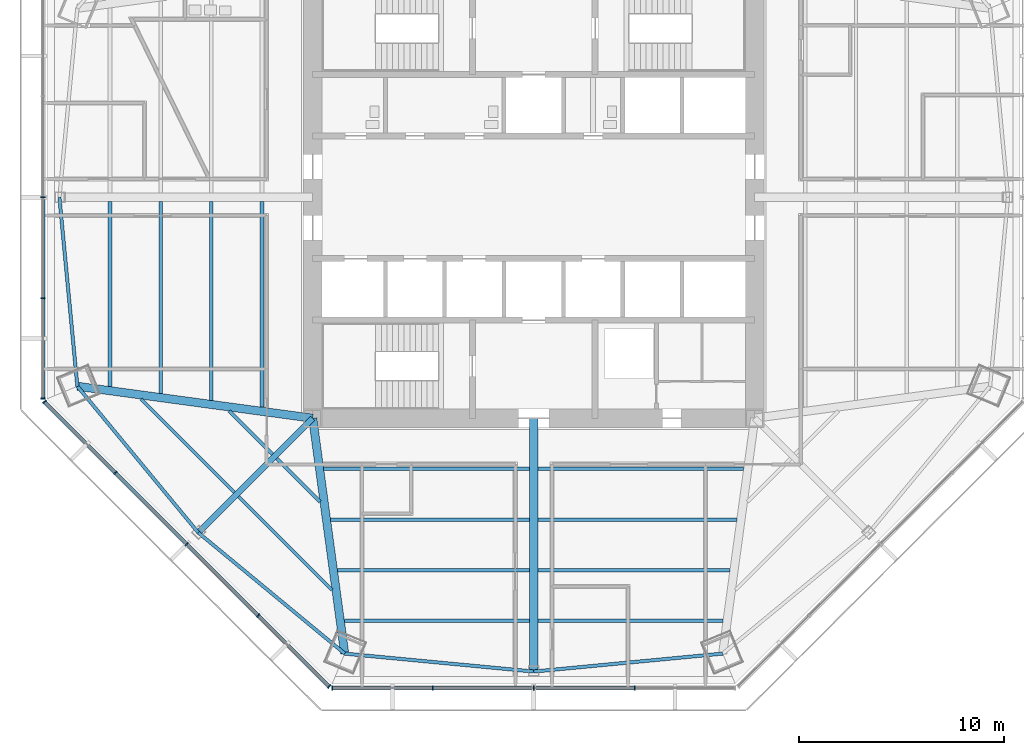
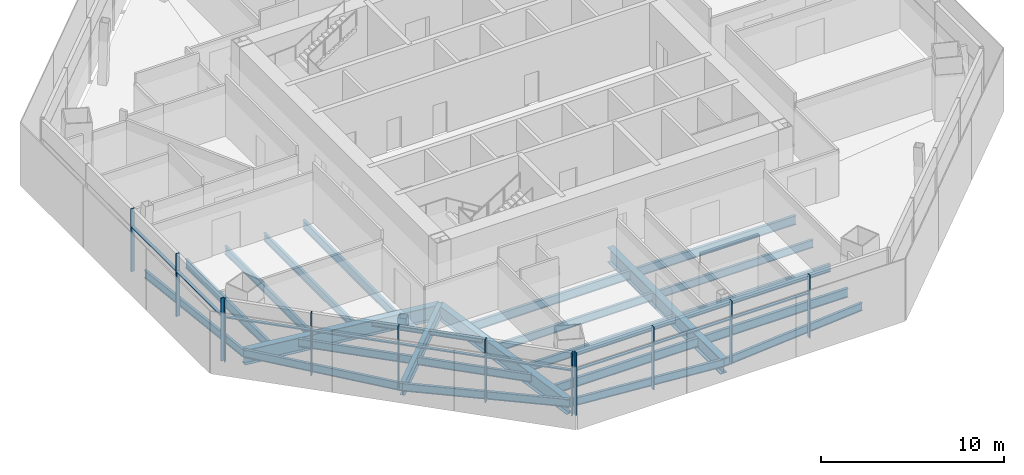
# One storey, part 2 of 14: 25 beams, 21 members, 3 elements without a shape of their own.
"""IFC4 building model written with IfcOpenShell, lengths in metres."""

from ifc_helpers import new_model, si_unit, direction, frame, origin, origin_2d, place, context, subcontext, project, spatial, rectangle, i_section, extrude, source, transform, mapped, material, material_profile, profile_set, type_object, type_shapes, element, aggregate, save


model = new_model("IFC4")

# Units and contexts
model_context = context("Model", 3, precision=1e-05, world=origin(), true_north=direction((0.0, 1.0)))
body_context = subcontext(model_context, "Body", "Model", "MODEL_VIEW")
ifc_project = project(units=[si_unit("LENGTHUNIT", "METRE"), si_unit("AREAUNIT", "SQUARE_METRE"), si_unit("VOLUMEUNIT", "CUBIC_METRE"), si_unit("PLANEANGLEUNIT", "RADIAN"), si_unit("MASSUNIT", "GRAM", prefix="KILO")], contexts=[model_context])

# Site, building, storey
site_placement = place(None, origin())
site = spatial("IfcSite", under=ifc_project, at=site_placement, CompositionType="ELEMENT")
building_placement = place(site_placement, origin())
building = spatial("IfcBuilding", under=site, at=building_placement, Name="Mashrafa Tower", CompositionType="ELEMENT")
storey_placement = place(building_placement, frame((0.0, 0.0, 142.800048828125)))
storey = spatial("IfcBuildingStorey", under=building, at=storey_placement, Name="L32", CompositionType="ELEMENT", Elevation=142.800048828125)

# Beams
ifc_material_1 = material(Name="Steel ASTM A992", Category="steel")
ifc_material_profile_1 = material_profile(ifc_material_1, i_section(OverallWidth=0.164794921875, OverallDepth=0.309814453125, WebThickness=0.005859375, FlangeThickness=0.009765625, FilletRadius=0.007568359375, at=origin_2d()), Name="W12X26")
ifc_profile_set_1 = profile_set([ifc_material_profile_1], Name="Steel ASTM A992")
beam_type_1 = type_object("IfcBeamType", Name="Beam W12X26", PredefinedType="BEAM", material=ifc_profile_set_1)
for number, where, z_axis, x_axis, name in (
    (1, (-12.766845703125, -12.560302734375, -0.320068359375), (-0.707106781187, 0.707106781187, 0.0), (-0.707106781187, -0.707106781187, 0.0), "Floor beam L32 013"),
    (2, (-10.448486328125, -14.878662109375, -0.320068359375), (-0.707106781187, 0.707106781187, 0.0), (-0.707106781187, -0.707106781187, 0.0), "Floor beam L32 016"),
):
    element("IfcBeam", number, at=place(storey_placement, frame(where, z_axis=z_axis, x_axis=x_axis)), inside=storey, type_object=beam_type_1, Name=name, PredefinedType="BEAM", context=body_context, shape_type="SweptSolid", body=[
        extrude(i_section(OverallWidth=0.164794921875, OverallDepth=0.309814453125, WebThickness=0.005859375, FlangeThickness=0.009765625, FilletRadius=0.007568359375, at=origin_2d()), origin(), (0.0, 0.0, 1.0), 2.986572265625),
    ])
ifc_material_2 = material(Name="Steel ASTM A992", Category="steel")
ifc_material_profile_2 = material_profile(ifc_material_2, i_section(OverallWidth=0.1650390625, OverallDepth=0.52587890625, WebThickness=0.0087890625, FlangeThickness=0.011474609375, FilletRadius=0.0126953125, at=origin_2d()), Name="W21X44")
ifc_profile_set_2 = profile_set([ifc_material_profile_2], Name="Steel ASTM A992")
beam_type_2 = type_object("IfcBeamType", Name="Beam W21X44", PredefinedType="BEAM", material=ifc_profile_set_2)
beam_1_placement = place(storey_placement, frame((-18.227783203125, -9.58837890625, -0.427978515625), z_axis=(0.0, 1.0, 0.0), x_axis=(-1.0, 0.0, 0.0)))
element("IfcBeam", 3, at=beam_1_placement, inside=storey, type_object=beam_type_2, Name="Floor beam L32 004", PredefinedType="BEAM", context=body_context, shape_type="SweptSolid", body=[
    extrude(i_section(OverallWidth=0.1650390625, OverallDepth=0.52587890625, WebThickness=0.0087890625, FlangeThickness=0.011474609375, FilletRadius=0.0126953125, at=origin_2d()), origin(), (0.0, 0.0, 1.0), 9.3876953125),
])
beam_2_placement = place(storey_placement, frame((-15.751953125, -9.9248046875, -0.427978515625), z_axis=(0.0, 1.0, 0.0), x_axis=(-1.0, 0.0, 0.0)))
element("IfcBeam", 4, at=beam_2_placement, inside=storey, type_object=beam_type_2, Name="Floor beam L32 006", PredefinedType="BEAM", context=body_context, shape_type="SweptSolid", body=[
    extrude(i_section(OverallWidth=0.1650390625, OverallDepth=0.52587890625, WebThickness=0.0087890625, FlangeThickness=0.011474609375, FilletRadius=0.0126953125, at=origin_2d()), origin(), (0.0, 0.0, 1.0), 9.72412109375),
])
for number, where, z_axis, x_axis, name in (
    (5, (-14.63037109375, -14.423828125, -0.427978515625), (-0.707106781187, 0.707106781187, 0.0), (-0.707106781187, -0.707106781187, 0.0), "Floor beam L32 009"),
    (6, (-9.862548828125, -19.191650390625, -0.427978515625), (-0.707106781187, 0.707106781187, 0.0), (-0.707106781187, -0.707106781187, 0.0), "Floor beam L32 019"),
):
    element("IfcBeam", number, at=place(storey_placement, frame(where, z_axis=z_axis, x_axis=x_axis)), inside=storey, type_object=beam_type_2, Name=name, PredefinedType="BEAM", context=body_context, shape_type="SweptSolid", body=[
        extrude(i_section(OverallWidth=0.1650390625, OverallDepth=0.52587890625, WebThickness=0.0087890625, FlangeThickness=0.011474609375, FilletRadius=0.0126953125, at=origin_2d()), origin(), (0.0, 0.0, 1.0), 6.45068359375),
    ])
beam_3_placement = place(storey_placement, frame((-0.20068359375, -18.227783203125, -0.427978515625), z_axis=(-1.0, 0.0, 0.0), x_axis=(0.0, -1.0, 0.0)))
element("IfcBeam", 7, at=beam_3_placement, inside=storey, type_object=beam_type_2, Name="Floor beam L32 022", PredefinedType="BEAM", context=body_context, shape_type="SweptSolid", body=[
    extrude(i_section(OverallWidth=0.1650390625, OverallDepth=0.52587890625, WebThickness=0.0087890625, FlangeThickness=0.011474609375, FilletRadius=0.0126953125, at=origin_2d()), origin(), (0.0, 0.0, 1.0), 9.3876953125),
])
beam_4_placement = place(storey_placement, frame((-0.20068359375, -15.751953125, -0.427978515625), z_axis=(-1.0, 0.0, 0.0), x_axis=(0.0, -1.0, 0.0)))
element("IfcBeam", 8, at=beam_4_placement, inside=storey, type_object=beam_type_2, Name="Floor beam L32 023", PredefinedType="BEAM", context=body_context, shape_type="SweptSolid", body=[
    extrude(i_section(OverallWidth=0.1650390625, OverallDepth=0.52587890625, WebThickness=0.0087890625, FlangeThickness=0.011474609375, FilletRadius=0.0126953125, at=origin_2d()), origin(), (0.0, 0.0, 1.0), 9.72412109375),
])
beam_5_placement = place(storey_placement, frame((9.58837890625, -18.227783203125, -0.427978515625), z_axis=(-1.0, 0.0, 0.0), x_axis=(0.0, -1.0, 0.0)))
element("IfcBeam", 9, at=beam_5_placement, inside=storey, type_object=beam_type_2, Name="Floor beam L32 031", PredefinedType="BEAM", context=body_context, shape_type="SweptSolid", body=[
    extrude(i_section(OverallWidth=0.1650390625, OverallDepth=0.52587890625, WebThickness=0.0087890625, FlangeThickness=0.011474609375, FilletRadius=0.0126953125, at=origin_2d()), origin(), (0.0, 0.0, 1.0), 9.3876953125),
])
beam_6_placement = place(storey_placement, frame((9.9248046875, -15.751953125, -0.427978515625), z_axis=(-1.0, 0.0, 0.0), x_axis=(0.0, -1.0, 0.0)))
element("IfcBeam", 10, at=beam_6_placement, inside=storey, type_object=beam_type_2, Name="Floor beam L32 032", PredefinedType="BEAM", context=body_context, shape_type="SweptSolid", body=[
    extrude(i_section(OverallWidth=0.1650390625, OverallDepth=0.52587890625, WebThickness=0.0087890625, FlangeThickness=0.011474609375, FilletRadius=0.0126953125, at=origin_2d()), origin(), (0.0, 0.0, 1.0), 9.72412109375),
])
for number, where, z_axis, x_axis, name in (
    (11, (-23.1796875, 0.0, -0.427978515625), (0.09463898921, -0.995511658255, 0.0), (0.995511658255, 0.09463898921, 0.0), "Spandrel beam L32 065"),
    (12, (-22.301513671875, -9.237548828125, -0.427978515625), (0.636998387422, -0.770865133744, 0.0), (0.770865133744, 0.636998387422, 0.0), "Spandrel beam L32 066"),
    (13, (-16.390625, -16.390625, -0.427978515625), (0.770865133744, -0.636998387422, 0.0), (0.636998387422, 0.770865133744, 0.0), "Spandrel beam L32 068"),
    (14, (-9.237548828125, -22.301513671875, -0.427978515625), (0.995511658255, -0.09463898921, 0.0), (0.09463898921, 0.995511658255, 0.0), "Spandrel beam L32 070"),
    (15, (0.0, -23.1796875, -0.427978515625), (0.995511658255, 0.09463898921, 0.0), (-0.09463898921, 0.995511658255, 0.0), "Spandrel beam L32 072"),
):
    element("IfcBeam", number, at=place(storey_placement, frame(where, z_axis=z_axis, x_axis=x_axis)), inside=storey, type_object=beam_type_2, Name=name, PredefinedType="BEAM", context=body_context, shape_type="SweptSolid", body=[
        extrude(i_section(OverallWidth=0.1650390625, OverallDepth=0.52587890625, WebThickness=0.0087890625, FlangeThickness=0.011474609375, FilletRadius=0.0126953125, at=origin_2d()), origin(), (0.0, 0.0, 1.0), 9.279296875),
    ])
ifc_material_3 = material(Name="Steel ASTM A992", Category="steel")
ifc_material_profile_3 = material_profile(ifc_material_3, i_section(OverallWidth=0.177978515625, OverallDepth=0.599365234375, WebThickness=0.010009765625, FlangeThickness=0.012939453125, FilletRadius=0.012939453125, at=origin_2d()), Name="W24X55")
ifc_profile_set_3 = profile_set([ifc_material_profile_3], Name="Steel ASTM A992")
beam_type_3 = type_object("IfcBeamType", Name="Beam W24X55", PredefinedType="BEAM", material=ifc_profile_set_3)
beam_7_placement = place(storey_placement, frame((-20.703857421875, -9.252197265625, -0.46484375), z_axis=(0.0, 1.0, 0.0), x_axis=(-1.0, 0.0, 0.0)))
element("IfcBeam", 16, at=beam_7_placement, inside=storey, type_object=beam_type_3, Name="Floor beam L32 001", PredefinedType="BEAM", context=body_context, shape_type="SweptSolid", body=[
    extrude(i_section(OverallWidth=0.177978515625, OverallDepth=0.599365234375, WebThickness=0.010009765625, FlangeThickness=0.012939453125, FilletRadius=0.012939453125, at=origin_2d()), origin(), (0.0, 0.0, 1.0), 9.051513671875),
])
beam_8_placement = place(storey_placement, frame((-13.27587890625, -10.26123046875, -0.46484375), z_axis=(0.0, 1.0, 0.0), x_axis=(-1.0, 0.0, 0.0)))
element("IfcBeam", 17, at=beam_8_placement, inside=storey, type_object=beam_type_3, Name="Floor beam L32 011", PredefinedType="BEAM", context=body_context, shape_type="SweptSolid", body=[
    extrude(i_section(OverallWidth=0.177978515625, OverallDepth=0.599365234375, WebThickness=0.010009765625, FlangeThickness=0.012939453125, FilletRadius=0.012939453125, at=origin_2d()), origin(), (0.0, 0.0, 1.0), 10.060546875),
])
beam_9_placement = place(storey_placement, frame((-0.20068359375, -20.703857421875, -0.46484375), z_axis=(-1.0, 0.0, 0.0), x_axis=(0.0, -1.0, 0.0)))
element("IfcBeam", 18, at=beam_9_placement, inside=storey, type_object=beam_type_3, Name="Floor beam L32 021", PredefinedType="BEAM", context=body_context, shape_type="SweptSolid", body=[
    extrude(i_section(OverallWidth=0.177978515625, OverallDepth=0.599365234375, WebThickness=0.010009765625, FlangeThickness=0.012939453125, FilletRadius=0.012939453125, at=origin_2d()), origin(), (0.0, 0.0, 1.0), 9.051513671875),
])
beam_10_placement = place(storey_placement, frame((-0.20068359375, -13.27587890625, -0.46484375), z_axis=(-1.0, 0.0, 0.0), x_axis=(0.0, -1.0, 0.0)))
element("IfcBeam", 19, at=beam_10_placement, inside=storey, type_object=beam_type_3, Name="Floor beam L32 024", PredefinedType="BEAM", context=body_context, shape_type="SweptSolid", body=[
    extrude(i_section(OverallWidth=0.177978515625, OverallDepth=0.599365234375, WebThickness=0.010009765625, FlangeThickness=0.012939453125, FilletRadius=0.012939453125, at=origin_2d()), origin(), (0.0, 0.0, 1.0), 10.060546875),
])
beam_11_placement = place(storey_placement, frame((9.252197265625, -20.703857421875, -0.46484375), z_axis=(-1.0, 0.0, 0.0), x_axis=(0.0, -1.0, 0.0)))
element("IfcBeam", 20, at=beam_11_placement, inside=storey, type_object=beam_type_3, Name="Floor beam L32 029", PredefinedType="BEAM", context=body_context, shape_type="SweptSolid", body=[
    extrude(i_section(OverallWidth=0.177978515625, OverallDepth=0.599365234375, WebThickness=0.010009765625, FlangeThickness=0.012939453125, FilletRadius=0.012939453125, at=origin_2d()), origin(), (0.0, 0.0, 1.0), 9.051513671875),
])
beam_12_placement = place(storey_placement, frame((10.26123046875, -13.27587890625, -0.46484375), z_axis=(-1.0, 0.0, 0.0), x_axis=(0.0, -1.0, 0.0)))
element("IfcBeam", 21, at=beam_12_placement, inside=storey, type_object=beam_type_3, Name="Floor beam L32 034", PredefinedType="BEAM", context=body_context, shape_type="SweptSolid", body=[
    extrude(i_section(OverallWidth=0.177978515625, OverallDepth=0.599365234375, WebThickness=0.010009765625, FlangeThickness=0.012939453125, FilletRadius=0.012939453125, at=origin_2d()), origin(), (0.0, 0.0, 1.0), 10.060546875),
])
ifc_material_4 = material(Name="Steel ASTM A992", Category="steel")
ifc_material_profile_4 = material_profile(ifc_material_4, i_section(OverallWidth=0.2919921875, OverallDepth=0.8408203125, WebThickness=0.0146484375, FlangeThickness=0.021728515625, FilletRadius=0.017333984375, at=origin_2d()), Name="W33X130")
ifc_profile_set_4 = profile_set([ifc_material_profile_4], Name="Steel ASTM A992")
beam_type_4 = type_object("IfcBeamType", Name="Beam W33X130", PredefinedType="BEAM", material=ifc_profile_set_4)
beam_13_placement = place(storey_placement, frame((-10.800048828125, -10.800048828125, -0.58544921875), z_axis=(-0.707106781187, -0.707106781187, 0.0), x_axis=(0.707106781187, -0.707106781187, 0.0)))
element("IfcBeam", 22, at=beam_13_placement, inside=storey, type_object=beam_type_4, Name="Radial girder L32 050", PredefinedType="BEAM", context=body_context, shape_type="SweptSolid", body=[
    extrude(i_section(OverallWidth=0.2919921875, OverallDepth=0.8408203125, WebThickness=0.0146484375, FlangeThickness=0.021728515625, FilletRadius=0.017333984375, at=origin_2d()), origin(), (0.0, 0.0, 1.0), 7.90625),
])
ifc_material_5 = material(Name="Steel ASTM A992", Category="steel")
ifc_material_profile_5 = material_profile(ifc_material_5, i_section(OverallWidth=0.4013671875, OverallDepth=0.98291015625, WebThickness=0.0166015625, FlangeThickness=0.027099609375, FilletRadius=0.0126953125, at=origin_2d()), Name="W40X199")
ifc_profile_set_5 = profile_set([ifc_material_profile_5], Name="Steel ASTM A992")
beam_type_5 = type_object("IfcBeamType", Name="Beam W40X199", PredefinedType="BEAM", material=ifc_profile_set_5)
for number, where, z_axis, x_axis, name in (
    (23, (-10.800048828125, -10.800048828125, -0.656494140625), (-0.990897880062, 0.134615717096, 0.0), (-0.134615717096, -0.990897880062, 0.0), "Radial girder L32 049"),
    (24, (-10.800048828125, -10.800048828125, -0.656494140625), (0.134615717096, -0.990897880062, 0.0), (0.990897880062, 0.134615717096, 0.0), "Radial girder L32 051"),
):
    element("IfcBeam", number, at=place(storey_placement, frame(where, z_axis=z_axis, x_axis=x_axis)), inside=storey, type_object=beam_type_5, Name=name, PredefinedType="BEAM", context=body_context, shape_type="SweptSolid", body=[
        extrude(i_section(OverallWidth=0.4013671875, OverallDepth=0.98291015625, WebThickness=0.0166015625, FlangeThickness=0.027099609375, FilletRadius=0.0126953125, at=origin_2d()), origin(), (0.0, 0.0, 1.0), 11.607177734375),
    ])
ifc_material_6 = material(Name="Steel ASTM A992", Category="steel")
ifc_material_profile_6 = material_profile(ifc_material_6, i_section(OverallWidth=0.4013671875, OverallDepth=1.010986328125, WebThickness=0.023681640625, FlangeThickness=0.0419921875, FilletRadius=0.02001953125, at=origin_2d()), Name="W40X297")
ifc_profile_set_6 = profile_set([ifc_material_profile_6], Name="Steel ASTM A992")
beam_type_6 = type_object("IfcBeamType", Name="Beam W40X297", PredefinedType="BEAM", material=ifc_profile_set_6)
beam_14_placement = place(storey_placement, frame((0.0, -10.800048828125, -0.67041015625), z_axis=(0.0, -1.0, 0.0), x_axis=(1.0, 0.0, 0.0)))
element("IfcBeam", 25, at=beam_14_placement, inside=storey, type_object=beam_type_6, Name="Radial girder L32 056", PredefinedType="BEAM", context=body_context, shape_type="SweptSolid", body=[
    extrude(i_section(OverallWidth=0.4013671875, OverallDepth=1.010986328125, WebThickness=0.023681640625, FlangeThickness=0.0419921875, FilletRadius=0.02001953125, at=origin_2d()), origin(), (0.0, 0.0, 1.0), 12.379638671875),
])

# Curtain wall, members
ifc_material_7 = material(Name="Unitised aluminium curtain wall", Category="aluminium")
curtain_wall_type = type_object("IfcCurtainWallType", Name="Office curtain wall, zone 2 CW-B 225 deep", PredefinedType="NOTDEFINED", material=ifc_material_7)
curtain_wall_1_placement = place(storey_placement, origin())
curtain_wall_1 = element("IfcCurtainWall", 26, at=curtain_wall_1_placement, inside=storey, type_object=curtain_wall_type, Name="Office curtain wall, zone 2 L32 west", PredefinedType="NOTDEFINED")
ifc_material_8 = material(Name="Extruded aluminium mullion", Category="aluminium")
ifc_material_profile_7 = material_profile(ifc_material_8, rectangle(XDim=0.22509765625, YDim=0.06494140625, at=origin_2d()), Name="Mullion 65x225")
ifc_profile_set_7 = profile_set([ifc_material_profile_7], Name="Extruded aluminium mullion")
member_type_1 = type_object("IfcMemberType", Name="Mullion CW-B 65 x 225", PredefinedType="MULLION", material=ifc_profile_set_7)
shared_shape_1 = source(origin(), body_context, "Body", "SweptSolid", [
    extrude(rectangle(XDim=0.22509765625, YDim=0.06494140625, at=origin_2d()), origin(), (0.0, 0.0, 1.0), 4.199951171875),
])
type_shapes(member_type_1, [shared_shape_1])
member_1_placement = place(storey_placement, frame((-23.97509765625, 0.0, 0.0), z_axis=(0.0, 0.0, 1.0), x_axis=(1.0, 0.0, 0.0)))
member_1 = element("IfcMember", 27, at=member_1_placement, type_object=member_type_1, Name="CW-B mullion 3", PredefinedType="MULLION", context=body_context, shape_type="MappedRepresentation", body=[
    mapped(shared_shape_1, transform((0.0, 0.0, 0.0))),
])
member_2_placement = place(storey_placement, frame((-23.97509765625, -4.93701171875, 0.0), z_axis=(0.0, 0.0, 1.0), x_axis=(1.0, 0.0, 0.0)))
member_2 = element("IfcMember", 28, at=member_2_placement, type_object=member_type_1, Name="CW-B mullion 4", PredefinedType="MULLION", context=body_context, shape_type="MappedRepresentation", body=[
    mapped(shared_shape_1, transform((0.0, 0.0, 0.0))),
])
member_3_placement = place(storey_placement, frame((-23.97509765625, -9.841796875, 0.0), z_axis=(0.0, 0.0, 1.0), x_axis=(1.0, 0.0, 0.0)))
member_3 = element("IfcMember", 29, at=member_3_placement, type_object=member_type_1, Name="CW-B mullion 5", PredefinedType="MULLION", context=body_context, shape_type="MappedRepresentation", body=[
    mapped(shared_shape_1, transform((0.0, 0.0, 0.0))),
])

curtain_wall_2_placement = place(storey_placement, origin())
curtain_wall_2 = element("IfcCurtainWall", 30, at=curtain_wall_2_placement, inside=storey, type_object=curtain_wall_type, Name="Office curtain wall, zone 2 L32 south-west", PredefinedType="NOTDEFINED")
member_4_placement = place(storey_placement, frame((-23.912109375, -9.993896484375, 0.0), z_axis=(0.0, 0.0, 1.0), x_axis=(0.707106781187, 0.707106781187, 0.0)))
member_4 = element("IfcMember", 31, at=member_4_placement, type_object=member_type_1, Name="CW-B mullion 1", PredefinedType="MULLION", context=body_context, shape_type="MappedRepresentation", body=[
    mapped(shared_shape_1, transform((0.0, 0.0, 0.0))),
])
member_5_placement = place(storey_placement, frame((-20.444091796875, -13.4619140625, 0.0), z_axis=(0.0, 0.0, 1.0), x_axis=(0.707106781187, 0.707106781187, 0.0)))
member_5 = element("IfcMember", 32, at=member_5_placement, type_object=member_type_1, Name="CW-B mullion 2", PredefinedType="MULLION", context=body_context, shape_type="MappedRepresentation", body=[
    mapped(shared_shape_1, transform((0.0, 0.0, 0.0))),
])
member_6_placement = place(storey_placement, frame((-16.952880859375, -16.952880859375, 0.0), z_axis=(0.0, 0.0, 1.0), x_axis=(0.707106781187, 0.707106781187, 0.0)))
member_6 = element("IfcMember", 33, at=member_6_placement, type_object=member_type_1, Name="CW-B mullion 3", PredefinedType="MULLION", context=body_context, shape_type="MappedRepresentation", body=[
    mapped(shared_shape_1, transform((0.0, 0.0, 0.0))),
])
member_7_placement = place(storey_placement, frame((-13.4619140625, -20.444091796875, 0.0), z_axis=(0.0, 0.0, 1.0), x_axis=(0.707106781187, 0.707106781187, 0.0)))
member_7 = element("IfcMember", 34, at=member_7_placement, type_object=member_type_1, Name="CW-B mullion 4", PredefinedType="MULLION", context=body_context, shape_type="MappedRepresentation", body=[
    mapped(shared_shape_1, transform((0.0, 0.0, 0.0))),
])
member_8_placement = place(storey_placement, frame((-9.993896484375, -23.912109375, 0.0), z_axis=(0.0, 0.0, 1.0), x_axis=(0.707106781187, 0.707106781187, 0.0)))
member_8 = element("IfcMember", 35, at=member_8_placement, type_object=member_type_1, Name="CW-B mullion 5", PredefinedType="MULLION", context=body_context, shape_type="MappedRepresentation", body=[
    mapped(shared_shape_1, transform((0.0, 0.0, 0.0))),
])

curtain_wall_3_placement = place(storey_placement, origin())
curtain_wall_3 = element("IfcCurtainWall", 36, at=curtain_wall_3_placement, inside=storey, type_object=curtain_wall_type, Name="Office curtain wall, zone 2 L32 south", PredefinedType="NOTDEFINED")
member_9_placement = place(storey_placement, frame((-9.841796875, -23.97509765625, 0.0), z_axis=(0.0, 0.0, 1.0), x_axis=(0.0, 1.0, 0.0)))
member_9 = element("IfcMember", 37, at=member_9_placement, type_object=member_type_1, Name="CW-B mullion 1", PredefinedType="MULLION", context=body_context, shape_type="MappedRepresentation", body=[
    mapped(shared_shape_1, transform((0.0, 0.0, 0.0))),
])
member_10_placement = place(storey_placement, frame((-4.93701171875, -23.97509765625, 0.0), z_axis=(0.0, 0.0, 1.0), x_axis=(0.0, 1.0, 0.0)))
member_10 = element("IfcMember", 38, at=member_10_placement, type_object=member_type_1, Name="CW-B mullion 2", PredefinedType="MULLION", context=body_context, shape_type="MappedRepresentation", body=[
    mapped(shared_shape_1, transform((0.0, 0.0, 0.0))),
])
member_11_placement = place(storey_placement, frame((0.0, -23.97509765625, 0.0), z_axis=(0.0, 0.0, 1.0), x_axis=(0.0, 1.0, 0.0)))
member_11 = element("IfcMember", 39, at=member_11_placement, type_object=member_type_1, Name="CW-B mullion 3", PredefinedType="MULLION", context=body_context, shape_type="MappedRepresentation", body=[
    mapped(shared_shape_1, transform((0.0, 0.0, 0.0))),
])
member_12_placement = place(storey_placement, frame((4.93701171875, -23.97509765625, 0.0), z_axis=(0.0, 0.0, 1.0), x_axis=(0.0, 1.0, 0.0)))
member_12 = element("IfcMember", 40, at=member_12_placement, type_object=member_type_1, Name="CW-B mullion 4", PredefinedType="MULLION", context=body_context, shape_type="MappedRepresentation", body=[
    mapped(shared_shape_1, transform((0.0, 0.0, 0.0))),
])

# Member
ifc_material_9 = material(Name="Extruded aluminium transom", Category="aluminium")
ifc_material_profile_8 = material_profile(ifc_material_9, rectangle(XDim=0.179931640625, YDim=0.080078125, at=origin_2d()), Name="Transom 80x180")
ifc_profile_set_8 = profile_set([ifc_material_profile_8], Name="Extruded aluminium transom")
member_type_2 = type_object("IfcMemberType", Name="Transom CW-B 80 x 180", PredefinedType="MULLION", material=ifc_profile_set_8)
shared_shape_2 = source(origin(), body_context, "Body", "SweptSolid", [
    extrude(rectangle(XDim=0.179931640625, YDim=0.080078125, at=origin_2d()), origin(), (0.0, 0.0, 1.0), 4.839599609375),
])
member_13_placement = place(storey_placement, frame((-23.97509765625, -4.9697265625, 3.0), z_axis=(0.0, -1.0, 0.0), x_axis=(1.0, 0.0, 0.0)))
member_13 = element("IfcMember", 41, at=member_13_placement, type_object=member_type_2, Name="CW-B transom 4", PredefinedType="MULLION", context=body_context, shape_type="MappedRepresentation", body=[
    mapped(shared_shape_2, transform((0.0, 0.0, 0.0))),
])

member_14_placement = place(storey_placement, frame((-23.88916015625, -10.016845703125, 3.0), z_axis=(0.707106781187, -0.707106781187, 0.0), x_axis=(0.707106781187, 0.707106781187, 0.0)))
member_14 = element("IfcMember", 42, at=member_14_placement, type_object=member_type_2, Name="CW-B transom 1", PredefinedType="MULLION", context=body_context, shape_type="MappedRepresentation", body=[
    mapped(shared_shape_2, transform((0.0, 0.0, 0.0))),
])

member_15_placement = place(storey_placement, frame((-13.43896484375, -20.467041015625, 3.0), z_axis=(0.707106781187, -0.707106781187, 0.0), x_axis=(0.707106781187, 0.707106781187, 0.0)))
member_15 = element("IfcMember", 43, at=member_15_placement, type_object=member_type_2, Name="CW-B transom 4", PredefinedType="MULLION", context=body_context, shape_type="MappedRepresentation", body=[
    mapped(shared_shape_2, transform((0.0, 0.0, 0.0))),
])

member_16_placement = place(storey_placement, frame((-9.809326171875, -23.97509765625, 3.0), z_axis=(1.0, 0.0, 0.0), x_axis=(0.0, 1.0, 0.0)))
member_16 = element("IfcMember", 44, at=member_16_placement, type_object=member_type_2, Name="CW-B transom 1", PredefinedType="MULLION", context=body_context, shape_type="MappedRepresentation", body=[
    mapped(shared_shape_2, transform((0.0, 0.0, 0.0))),
])

shared_shape_3 = source(origin(), body_context, "Body", "SweptSolid", [
    extrude(rectangle(XDim=0.179931640625, YDim=0.080078125, at=origin_2d()), origin(), (0.0, 0.0, 1.0), 4.8720703125),
])
member_17_placement = place(storey_placement, frame((-23.97509765625, -0.032470703125, 3.0), z_axis=(0.0, -1.0, 0.0), x_axis=(1.0, 0.0, 0.0)))
member_17 = element("IfcMember", 45, at=member_17_placement, type_object=member_type_2, Name="CW-B transom 3", PredefinedType="MULLION", context=body_context, shape_type="MappedRepresentation", body=[
    mapped(shared_shape_3, transform((0.0, 0.0, 0.0))),
])

aggregate(curtain_wall_1, [member_1, member_2, member_3, member_17, member_13])

member_18_placement = place(storey_placement, frame((-4.904541015625, -23.97509765625, 3.0), z_axis=(1.0, 0.0, 0.0), x_axis=(0.0, 1.0, 0.0)))
member_18 = element("IfcMember", 46, at=member_18_placement, type_object=member_type_2, Name="CW-B transom 2", PredefinedType="MULLION", context=body_context, shape_type="MappedRepresentation", body=[
    mapped(shared_shape_3, transform((0.0, 0.0, 0.0))),
])

member_19_placement = place(storey_placement, frame((0.032470703125, -23.97509765625, 3.0), z_axis=(1.0, 0.0, 0.0), x_axis=(0.0, 1.0, 0.0)))
member_19 = element("IfcMember", 47, at=member_19_placement, type_object=member_type_2, Name="CW-B transom 3", PredefinedType="MULLION", context=body_context, shape_type="MappedRepresentation", body=[
    mapped(shared_shape_3, transform((0.0, 0.0, 0.0))),
])

aggregate(curtain_wall_3, [member_9, member_10, member_11, member_12, member_16, member_18, member_19])

shared_shape_4 = source(origin(), body_context, "Body", "SweptSolid", [
    extrude(rectangle(XDim=0.179931640625, YDim=0.080078125, at=origin_2d()), origin(), (0.0, 0.0, 1.0), 4.872314453125),
])
type_shapes(member_type_2, [shared_shape_2, shared_shape_3, shared_shape_4])
member_20_placement = place(storey_placement, frame((-20.421142578125, -13.48486328125, 3.0), z_axis=(0.707131835017, -0.707081726468, 0.0), x_axis=(0.707081726468, 0.707131835017, 0.0)))
member_20 = element("IfcMember", 48, at=member_20_placement, type_object=member_type_2, Name="CW-B transom 2", PredefinedType="MULLION", context=body_context, shape_type="MappedRepresentation", body=[
    mapped(shared_shape_4, transform((0.0, 0.0, 0.0))),
])

member_21_placement = place(storey_placement, frame((-16.929931640625, -16.975830078125, 3.0), z_axis=(0.707081726468, -0.707131835017, 0.0), x_axis=(0.707131835017, 0.707081726468, 0.0)))
member_21 = element("IfcMember", 49, at=member_21_placement, type_object=member_type_2, Name="CW-B transom 3", PredefinedType="MULLION", context=body_context, shape_type="MappedRepresentation", body=[
    mapped(shared_shape_4, transform((0.0, 0.0, 0.0))),
])

aggregate(curtain_wall_2, [member_4, member_5, member_6, member_7, member_8, member_14, member_20, member_21, member_15])

save(model, "model.ifc")
